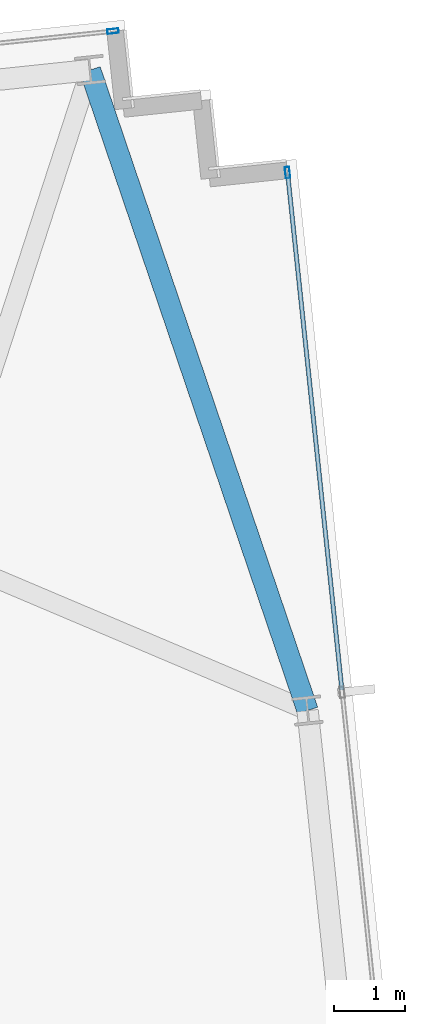
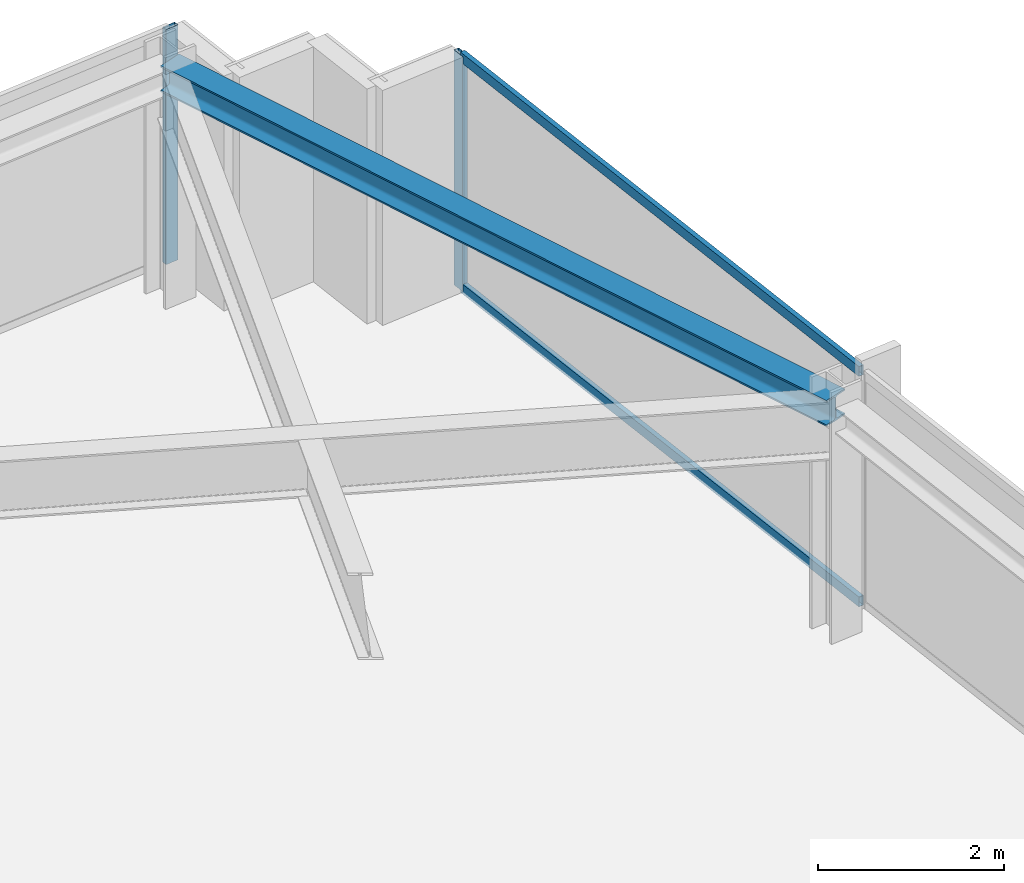
# One storey, part 25 of 33: 4 members, 1 beam, 2 elements without a shape of their own.
"""IFC4 building model written with IfcOpenShell, lengths in metres."""

from ifc_helpers import new_model, si_unit, direction, frame, origin, origin_2d, place, context, subcontext, project, spatial, hollow_rectangle, i_section, extrude, material, material_profile, profile_set, type_object, element, aggregate, save


model = new_model("IFC4")

# Units and contexts
model_context = context("Model", 3, precision=1e-05, world=origin(), true_north=direction((0.0, 1.0)))
body_context = subcontext(model_context, "Body", "Model", "MODEL_VIEW")
ifc_project = project(units=[si_unit("LENGTHUNIT", "METRE"), si_unit("AREAUNIT", "SQUARE_METRE"), si_unit("VOLUMEUNIT", "CUBIC_METRE"), si_unit("PLANEANGLEUNIT", "RADIAN"), si_unit("MASSUNIT", "GRAM", prefix="KILO")], contexts=[model_context])

# Site, building, storey
site_placement = place(None, origin())
site = spatial("IfcSite", under=ifc_project, at=site_placement, CompositionType="ELEMENT")
building_placement = place(site_placement, origin())
building = spatial("IfcBuilding", under=site, at=building_placement, Name="Yelkora Congress Tower", CompositionType="ELEMENT")
storey_placement = place(building_placement, frame((0.0, 0.0, 234.199951171875)))
storey = spatial("IfcBuildingStorey", under=building, at=storey_placement, Name="L65", CompositionType="ELEMENT", Elevation=234.199951171875)

# Beam
ifc_material_1 = material(Name="Steel S355J2", Category="steel")
ifc_material_profile_1 = material_profile(ifc_material_1, i_section(OverallWidth=0.300048828125, OverallDepth=0.340087890625, WebThickness=0.011962890625, FlangeThickness=0.021484375, FilletRadius=0.027099609375, at=origin_2d()), Name="HEB 340")
ifc_profile_set_1 = profile_set([ifc_material_profile_1], Name="Steel S355J2")
beam_type = type_object("IfcBeamType", Name="BM-SPAN-HEB340", PredefinedType="SPANDREL", material=ifc_profile_set_1)
beam_placement = place(storey_placement, frame((68.85400390625, 41.431884765625, 2.91015625), z_axis=(-0.321575477611, 0.946883948644, 0.0), x_axis=(-0.946883948644, -0.321575477611, 0.0)))
element("IfcBeam", 1, at=beam_placement, inside=storey, type_object=beam_type, Name="L65 Perimeter Beam 12", PredefinedType="SPANDREL", context=body_context, shape_type="SweptSolid", body=[
    extrude(i_section(OverallWidth=0.300048828125, OverallDepth=0.340087890625, WebThickness=0.011962890625, FlangeThickness=0.021484375, FilletRadius=0.027099609375, at=origin_2d()), origin(), (0.0, 0.0, 1.0), 9.509765625),
])

# Curtain wall, member
ifc_material_2 = material(Name="Anodised aluminium and insulated glass", Category="aluminium")
curtain_wall_type = type_object("IfcCurtainWallType", Name="CW-SYS-B4", PredefinedType="NOTDEFINED", material=ifc_material_2)
curtain_wall_1_placement = place(storey_placement, origin())
curtain_wall_1 = element("IfcCurtainWall", 2, at=curtain_wall_1_placement, inside=storey, type_object=curtain_wall_type, Name="L65 Unitised Curtain Wall 10 (3)", PredefinedType="NOTDEFINED")
ifc_material_3 = material(Name="Anodised aluminium 6063-T6", Category="aluminium")
ifc_material_profile_2 = material_profile(ifc_material_3, hollow_rectangle(XDim=0.06494140625, YDim=0.159912109375, WallThickness=0.00390625, at=origin_2d()), Name="ALU 65x160x4")
ifc_profile_set_2 = profile_set([ifc_material_profile_2], Name="Anodised aluminium 6063-T6")
member_type_1 = type_object("IfcMemberType", Name="MEM-ML-B4", PredefinedType="MULLION", material=ifc_profile_set_2)
member_1_placement = place(storey_placement, frame((66.1181640625, 50.983154296875, 0.0), z_axis=(0.0, 0.0, 1.0), x_axis=(-0.104527724021, 0.994521973066, 0.0)))
member_1 = element("IfcMember", 3, at=member_1_placement, type_object=member_type_1, Name="CW-B4 mullion 7", PredefinedType="MULLION", context=body_context, shape_type="SweptSolid", body=[
    extrude(hollow_rectangle(XDim=0.06494140625, YDim=0.159912109375, WallThickness=0.00390625, at=origin_2d()), origin(), (0.0, 0.0, 1.0), 3.080078125),
])
aggregate(curtain_wall_1, [member_1])

# Curtain wall, members
curtain_wall_2_placement = place(storey_placement, origin())
curtain_wall_2 = element("IfcCurtainWall", 4, at=curtain_wall_2_placement, inside=storey, type_object=curtain_wall_type, Name="L65 Unitised Curtain Wall 15", PredefinedType="NOTDEFINED")
member_2_placement = place(storey_placement, frame((68.57177734375, 48.996337890625, 0.0), z_axis=(0.0, 0.0, 1.0), x_axis=(0.994522182968, 0.104525726898, 0.0)))
member_2 = element("IfcMember", 5, at=member_2_placement, type_object=member_type_1, Name="CW-B4 mullion 1", PredefinedType="MULLION", context=body_context, shape_type="SweptSolid", body=[
    extrude(hollow_rectangle(XDim=0.06494140625, YDim=0.159912109375, WallThickness=0.00390625, at=origin_2d()), origin(), (0.0, 0.0, 1.0), 3.080078125),
])
ifc_material_profile_3 = material_profile(ifc_material_3, hollow_rectangle(XDim=0.06005859375, YDim=0.1298828125, WallThickness=0.00390625, at=origin_2d()), Name="ALU 60x130x4")
ifc_profile_set_3 = profile_set([ifc_material_profile_3], Name="Anodised aluminium 6063-T6")
member_type_2 = type_object("IfcMemberType", Name="MEM-TR-B4", PredefinedType="USERDEFINED", material=ifc_profile_set_3)
member_3_placement = place(storey_placement, frame((68.5751953125, 48.9638671875, 0.030029296875), z_axis=(0.104531210832, -0.994521606584, 0.0), x_axis=(0.994521606584, 0.104531210832, 0.0)))
member_3 = element("IfcMember", 6, at=member_3_placement, type_object=member_type_2, Name="CW-B4 transom 1.1", ObjectType="TRANSOM", PredefinedType="USERDEFINED", context=body_context, shape_type="SweptSolid", body=[
    extrude(hollow_rectangle(XDim=0.06005859375, YDim=0.1298828125, WallThickness=0.00390625, at=origin_2d()), origin(), (0.0, 0.0, 1.0), 7.2822265625),
])
member_4_placement = place(storey_placement, frame((68.5751953125, 48.9638671875, 3.050048828125), z_axis=(0.104531210832, -0.994521606584, 0.0), x_axis=(0.994521606584, 0.104531210832, 0.0)))
member_4 = element("IfcMember", 7, at=member_4_placement, type_object=member_type_2, Name="CW-B4 transom 1.2", ObjectType="TRANSOM", PredefinedType="USERDEFINED", context=body_context, shape_type="SweptSolid", body=[
    extrude(hollow_rectangle(XDim=0.06005859375, YDim=0.1298828125, WallThickness=0.00390625, at=origin_2d()), origin(), (0.0, 0.0, 1.0), 7.2822265625),
])
aggregate(curtain_wall_2, [member_2, member_3, member_4])

save(model, "model.ifc")
